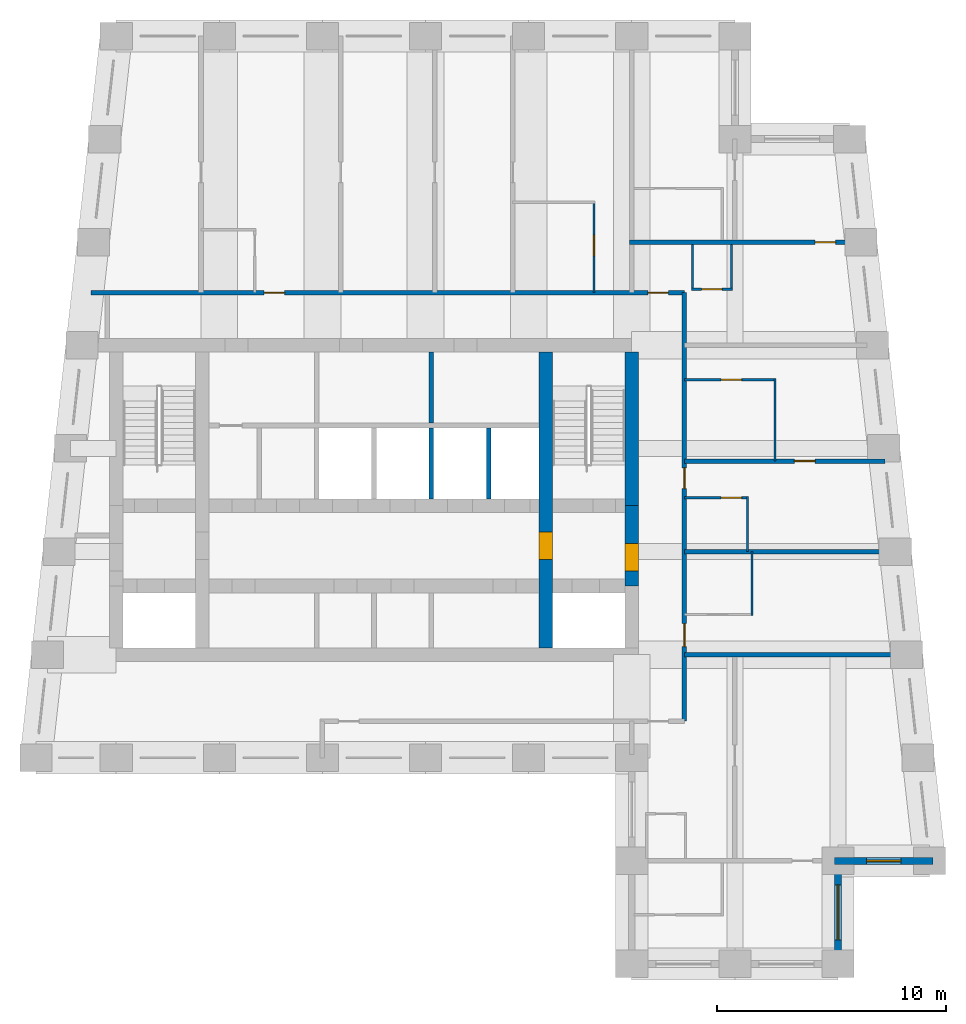
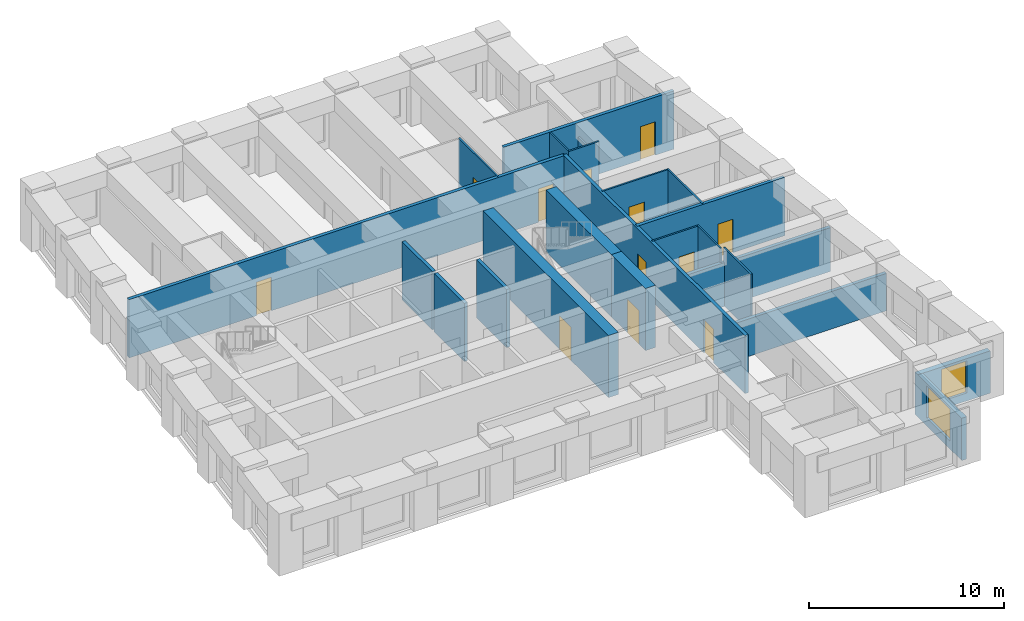
# One storey, part 4 of 7: 23 walls, 12 doors, 2 windows, 14 openings.
"""IFC4 building model written with IfcOpenShell, lengths in metres."""

from ifc_helpers import new_model, si_unit, direction, frame, frame_2d, origin, place, context, subcontext, project, spatial, rectangle, extrude, material, layer, layer_set, type_object, element, fill, save


model = new_model("IFC4")

# Units and contexts
model_context = context("Model", 3, precision=1e-05, world=origin(), true_north=direction((0.0, 1.0)))
body_context = subcontext(model_context, "Body", "Model", "MODEL_VIEW")
ifc_project = project(units=[si_unit("LENGTHUNIT", "METRE"), si_unit("AREAUNIT", "SQUARE_METRE"), si_unit("VOLUMEUNIT", "CUBIC_METRE"), si_unit("PLANEANGLEUNIT", "RADIAN"), si_unit("MASSUNIT", "GRAM", prefix="KILO")], contexts=[model_context])

# Site, building, storey
site_placement = place(None, origin())
site = spatial("IfcSite", under=ifc_project, at=site_placement, CompositionType="ELEMENT")
building_placement = place(site_placement, origin())
building = spatial("IfcBuilding", under=site, at=building_placement, Name="Kilele Tower Hotel", CompositionType="ELEMENT")
storey_placement = place(building_placement, frame((0.0, 0.0, 278.0)))
storey = spatial("IfcBuildingStorey", under=building, at=storey_placement, Name="L71", CompositionType="ELEMENT", Elevation=278.0)

# Walls
ifc_material_1 = material(Name="Moisture-resistant board")
ifc_layer_1 = layer(ifc_material_1, 0.10009765625)
ifc_layer_set_1 = layer_set([ifc_layer_1], Name="Moisture-resistant board")
wall_type_1 = type_object("IfcWallType", Name="Bathroom partition 100", PredefinedType="PLUMBINGWALL", material=ifc_layer_set_1)
wall_1_placement = place(storey_placement, frame((41.25, 15.199951171875, 0.0), z_axis=(0.0, 0.0, 1.0), x_axis=(0.0, 1.0, 0.0)))
element("IfcWall", 1, at=wall_1_placement, inside=storey, type_object=wall_type_1, Name="Bathroom partition 100 L71", PredefinedType="PLUMBINGWALL", context=body_context, shape_type="SweptSolid", body=[
    extrude(rectangle(XDim=2.800048828125, YDim=0.10009765625, at=frame_2d((1.39990234375, 0.0))), origin(), (0.0, 0.0, 1.0), 3.64990234375),
])
wall_2_placement = place(storey_placement, frame((41.050048828125, 18.0, 0.0), z_axis=(0.0, 0.0, 1.0), x_axis=(0.0, 1.0, 0.0)))
element("IfcWall", 2, at=wall_2_placement, inside=storey, type_object=wall_type_1, Name="Bathroom partition 100 L71", PredefinedType="PLUMBINGWALL", context=body_context, shape_type="SweptSolid", body=[
    extrude(rectangle(XDim=2.39990234375, YDim=0.10009765625, at=frame_2d((1.199951171875, 0.0))), origin(), (0.0, 0.0, 1.0), 3.64990234375),
])

# Wall, opening, door
wall_3_placement = place(storey_placement, frame((38.300048828125, 20.35009765625, 0.0), z_axis=(0.0, 0.0, 1.0), x_axis=(1.0, 0.0, 0.0)))
wall_3 = element("IfcWall", 3, at=wall_3_placement, inside=storey, type_object=wall_type_1, Name="Bathroom partition 100 L71", PredefinedType="PLUMBINGWALL", context=body_context, shape_type="SweptSolid", body=[
    extrude(rectangle(XDim=2.800048828125, YDim=0.10009765625, at=frame_2d((1.39990234375, 0.0))), origin(), (0.0, 0.0, 1.0), 3.64990234375),
])
opening_1_placement = place(wall_3_placement, frame((1.60009765625, 0.0, 0.0)))
opening_1 = element("IfcOpeningElement", 4, at=opening_1_placement, cuts=wall_3, Name="Opening D2A", PredefinedType="OPENING", context=body_context, shape_type="SweptSolid", body=[
    extrude(rectangle(XDim=0.89990234375, YDim=2.10009765625, at=frame_2d((0.449951171875, 1.050048828125))), frame((0.0, 0.06005859375, 0.0), z_axis=(0.0, -1.0, 0.0), x_axis=(1.0, 0.0, 0.0)), (0.0, 0.0, 1.0), 0.1201171875),
])
ifc_material_2 = material(Name="Timber door leaf in hardwood frame", Category="wood")
door_type_1 = type_object("IfcDoorType", Name="Bathroom door 900", OperationType="SINGLE_SWING_LEFT", PredefinedType="DOOR", material=ifc_material_2)
door_1_placement = place(opening_1_placement, origin())
door_1 = element("IfcDoor", 5, at=door_1_placement, inside=storey, type_object=door_type_1, Name="Bathroom door 7104B", OperationType="SINGLE_SWING_LEFT", OverallHeight=2.10009765625, OverallWidth=0.89990234375, PredefinedType="DOOR", context=body_context, shape_type="SweptSolid", body=[
    extrude(rectangle(XDim=0.89990234375, YDim=2.10009765625, at=frame_2d((0.449951171875, 1.050048828125))), frame((0.0, 0.02490234375, 0.0), z_axis=(0.0, -1.0, 0.0), x_axis=(1.0, 0.0, 0.0)), (0.0, 0.0, 1.0), 0.050048828125),
])
fill(opening_1, door_1)

# Wall
wall_4_placement = place(storey_placement, frame((42.25, 21.949951171875, 0.0), z_axis=(0.0, 0.0, 1.0), x_axis=(0.0, 1.0, 0.0)))
element("IfcWall", 6, at=wall_4_placement, inside=storey, type_object=wall_type_1, Name="Bathroom partition 100 L71", PredefinedType="PLUMBINGWALL", context=body_context, shape_type="SweptSolid", body=[
    extrude(rectangle(XDim=3.60009765625, YDim=0.10009765625, at=frame_2d((1.800048828125, 0.0))), origin(), (0.0, 0.0, 1.0), 3.64990234375),
])

# Wall, opening, door
wall_5_placement = place(storey_placement, frame((38.300048828125, 25.5, 0.0), z_axis=(0.0, 0.0, 1.0), x_axis=(1.0, 0.0, 0.0)))
wall_5 = element("IfcWall", 7, at=wall_5_placement, inside=storey, type_object=wall_type_1, Name="Bathroom partition 100 L71", PredefinedType="PLUMBINGWALL", context=body_context, shape_type="SweptSolid", body=[
    extrude(rectangle(XDim=4.0, YDim=0.10009765625, at=frame_2d((2.0, 0.0))), origin(), (0.0, 0.0, 1.0), 3.64990234375),
])
opening_2_placement = place(wall_5_placement, frame((1.60009765625, 0.0, 0.0)))
opening_2 = element("IfcOpeningElement", 8, at=opening_2_placement, cuts=wall_5, Name="Opening D2A", PredefinedType="OPENING", context=body_context, shape_type="SweptSolid", body=[
    extrude(rectangle(XDim=0.89990234375, YDim=2.10009765625, at=frame_2d((0.449951171875, 1.050048828125))), frame((0.0, 0.06005859375, 0.0), z_axis=(0.0, -1.0, 0.0), x_axis=(1.0, 0.0, 0.0)), (0.0, 0.0, 1.0), 0.1201171875),
])
door_2_placement = place(opening_2_placement, origin())
door_2 = element("IfcDoor", 9, at=door_2_placement, inside=storey, type_object=door_type_1, Name="Bathroom door 7105B", OperationType="SINGLE_SWING_LEFT", OverallHeight=2.10009765625, OverallWidth=0.89990234375, PredefinedType="DOOR", context=body_context, shape_type="SweptSolid", body=[
    extrude(rectangle(XDim=0.89990234375, YDim=2.10009765625, at=frame_2d((0.449951171875, 1.050048828125))), frame((0.0, 0.02490234375, 0.0), z_axis=(0.0, -1.0, 0.0), x_axis=(1.0, 0.0, 0.0)), (0.0, 0.0, 1.0), 0.050048828125),
])
fill(opening_2, door_2)

wall_6_placement = place(storey_placement, frame((34.35009765625, 29.300048828125, 0.0), z_axis=(0.0, 0.0, 1.0), x_axis=(0.0, 1.0, 0.0)))
wall_6 = element("IfcWall", 10, at=wall_6_placement, inside=storey, type_object=wall_type_1, Name="Bathroom partition 100 L71", PredefinedType="PLUMBINGWALL", context=body_context, shape_type="SweptSolid", body=[
    extrude(rectangle(XDim=4.0, YDim=0.10009765625, at=frame_2d((2.0, 0.0))), origin(), (0.0, 0.0, 1.0), 3.64990234375),
])
opening_3_placement = place(wall_6_placement, frame((2.5, 0.0, 0.0), z_axis=(0.0, 0.0, 1.0), x_axis=(-1.0, 0.0, 0.0)))
opening_3 = element("IfcOpeningElement", 11, at=opening_3_placement, cuts=wall_6, Name="Opening D2A", PredefinedType="OPENING", context=body_context, shape_type="SweptSolid", body=[
    extrude(rectangle(XDim=0.89990234375, YDim=2.10009765625, at=frame_2d((0.449951171875, 1.050048828125))), frame((0.0, 0.06005859375, 0.0), z_axis=(0.0, -1.0, 0.0), x_axis=(1.0, 0.0, 0.0)), (0.0, 0.0, 1.0), 0.1201171875),
])
door_3_placement = place(opening_3_placement, origin())
door_3 = element("IfcDoor", 12, at=door_3_placement, inside=storey, type_object=door_type_1, Name="Bathroom door 7110B", OperationType="SINGLE_SWING_RIGHT", OverallHeight=2.10009765625, OverallWidth=0.89990234375, PredefinedType="DOOR", context=body_context, shape_type="SweptSolid", body=[
    extrude(rectangle(XDim=0.89990234375, YDim=2.10009765625, at=frame_2d((0.449951171875, 1.050048828125))), frame((0.0, 0.02490234375, 0.0), z_axis=(0.0, -1.0, 0.0), x_axis=(1.0, 0.0, 0.0)), (0.0, 0.0, 1.0), 0.050048828125),
])
fill(opening_3, door_3)

# Walls
wall_7_placement = place(storey_placement, frame((40.35009765625, 31.39990234375, 0.0), z_axis=(0.0, 0.0, 1.0), x_axis=(0.0, -1.0, 0.0)))
element("IfcWall", 13, at=wall_7_placement, inside=storey, type_object=wall_type_1, Name="Bathroom partition 100 L71", PredefinedType="PLUMBINGWALL", context=body_context, shape_type="SweptSolid", body=[
    extrude(rectangle(XDim=2.0, YDim=0.10009765625, at=frame_2d((1.0, 0.0))), origin(), (0.0, 0.0, 1.0), 2.75),
])
wall_8_placement = place(storey_placement, frame((38.64990234375, 31.39990234375, 0.0), z_axis=(0.0, 0.0, 1.0), x_axis=(0.0, -1.0, 0.0)))
element("IfcWall", 14, at=wall_8_placement, inside=storey, type_object=wall_type_1, Name="Bathroom partition 100 L71", PredefinedType="PLUMBINGWALL", context=body_context, shape_type="SweptSolid", body=[
    extrude(rectangle(XDim=2.0, YDim=0.10009765625, at=frame_2d((1.0, 0.0))), origin(), (0.0, 0.0, 1.0), 3.64990234375),
])

# Wall, opening, door
wall_9_placement = place(storey_placement, frame((38.60009765625, 29.449951171875, 0.0), z_axis=(0.0, 0.0, 1.0), x_axis=(1.0, 0.0, 0.0)))
wall_9 = element("IfcWall", 15, at=wall_9_placement, inside=storey, type_object=wall_type_1, Name="Bathroom partition 100 L71", PredefinedType="PLUMBINGWALL", context=body_context, shape_type="SweptSolid", body=[
    extrude(rectangle(XDim=1.7998046875, YDim=0.10009765625, at=frame_2d((0.89990234375, 0.0))), origin(), (0.0, 0.0, 1.0), 3.64990234375),
])
opening_4_placement = place(wall_9_placement, frame((1.349853515625, 0.0, 0.0), z_axis=(0.0, 0.0, 1.0), x_axis=(-1.0, 0.0, 0.0)))
opening_4 = element("IfcOpeningElement", 16, at=opening_4_placement, cuts=wall_9, Name="Opening D2A", PredefinedType="OPENING", context=body_context, shape_type="SweptSolid", body=[
    extrude(rectangle(XDim=0.89990234375, YDim=2.10009765625, at=frame_2d((0.449951171875, 1.050048828125))), frame((0.0, 0.06005859375, 0.0), z_axis=(0.0, -1.0, 0.0), x_axis=(1.0, 0.0, 0.0)), (0.0, 0.0, 1.0), 0.1201171875),
])
door_4_placement = place(opening_4_placement, origin())
door_4 = element("IfcDoor", 17, at=door_4_placement, inside=storey, type_object=door_type_1, Name="Bathroom door 7114P", OperationType="SINGLE_SWING_RIGHT", OverallHeight=2.10009765625, OverallWidth=0.89990234375, PredefinedType="DOOR", context=body_context, shape_type="SweptSolid", body=[
    extrude(rectangle(XDim=0.89990234375, YDim=2.10009765625, at=frame_2d((0.449951171875, 1.050048828125))), frame((0.0, 0.02490234375, 0.0), z_axis=(0.0, -1.0, 0.0), x_axis=(1.0, 0.0, 0.0)), (0.0, 0.0, 1.0), 0.050048828125),
])
fill(opening_4, door_4)

ifc_material_3 = material(Name="Concrete C60/75", Category="concrete")
ifc_layer_2 = layer(ifc_material_3, 0.60009765625)
ifc_layer_set_2 = layer_set([ifc_layer_2], Name="Concrete C60/75")
wall_type_2 = type_object("IfcWallType", Name="Core wall 600 C60/75", PredefinedType="SHEAR", material=ifc_layer_set_2)
wall_10_placement = place(storey_placement, frame((32.25, 13.800048828125, 0.0), z_axis=(0.0, 0.0, 1.0), x_axis=(0.0, 1.0, 0.0)))
wall_10 = element("IfcWall", 18, at=wall_10_placement, inside=storey, type_object=wall_type_2, Name="Core wall IE L71", PredefinedType="SHEAR", context=body_context, shape_type="SweptSolid", body=[
    extrude(rectangle(XDim=12.89990234375, YDim=0.60009765625, at=frame_2d((6.449951171875, 0.0))), origin(), (0.0, 0.0, 1.0), 3.89990234375),
])
opening_5_placement = place(wall_10_placement, frame((5.050048828125, 0.0, 0.0), z_axis=(0.0, 0.0, 1.0), x_axis=(-1.0, 0.0, 0.0)))
opening_5 = element("IfcOpeningElement", 19, at=opening_5_placement, cuts=wall_10, Name="Opening D4", PredefinedType="OPENING", context=body_context, shape_type="SweptSolid", body=[
    extrude(rectangle(XDim=1.199951171875, YDim=2.10009765625, at=frame_2d((0.60009765625, 1.050048828125))), frame((0.0, 0.31005859375, 0.0), z_axis=(0.0, -1.0, 0.0), x_axis=(1.0, 0.0, 0.0)), (0.0, 0.0, 1.0), 0.6201171875),
])
ifc_material_4 = material(Name="Timber door leaf in hardwood frame", Category="wood")
door_type_2 = type_object("IfcDoorType", Name="Firefighting lobby door 1200", OperationType="SINGLE_SWING_LEFT", PredefinedType="DOOR", material=ifc_material_4)
door_5_placement = place(opening_5_placement, origin())
door_5 = element("IfcDoor", 20, at=door_5_placement, inside=storey, type_object=door_type_2, Name="Lobby door L71", OperationType="SINGLE_SWING_RIGHT", OverallHeight=2.10009765625, OverallWidth=1.199951171875, PredefinedType="DOOR", context=body_context, shape_type="SweptSolid", body=[
    extrude(rectangle(XDim=1.199951171875, YDim=2.10009765625, at=frame_2d((0.60009765625, 1.050048828125))), frame((0.0, 0.2998046875, 0.0), z_axis=(0.0, -1.0, 0.0), x_axis=(1.0, 0.0, 0.0)), (0.0, 0.0, 1.0), 0.599609375),
])
fill(opening_5, door_5)

wall_11_placement = place(storey_placement, frame((36.0, 16.5, 0.0), z_axis=(0.0, 0.0, 1.0), x_axis=(0.0, 1.0, 0.0)))
wall_11 = element("IfcWall", 21, at=wall_11_placement, inside=storey, type_object=wall_type_2, Name="Core wall E2 L71", PredefinedType="SHEAR", context=body_context, shape_type="SweptSolid", body=[
    extrude(rectangle(XDim=3.5, YDim=0.60009765625, at=frame_2d((1.75, 0.0))), origin(), (0.0, 0.0, 1.0), 3.89990234375),
])
opening_6_placement = place(wall_11_placement, frame((0.64990234375, 0.0, 0.0)))
opening_6 = element("IfcOpeningElement", 22, at=opening_6_placement, cuts=wall_11, Name="Opening D4", PredefinedType="OPENING", context=body_context, shape_type="SweptSolid", body=[
    extrude(rectangle(XDim=1.199951171875, YDim=2.10009765625, at=frame_2d((0.60009765625, 1.050048828125))), frame((0.0, 0.31005859375, 0.0), z_axis=(0.0, -1.0, 0.0), x_axis=(1.0, 0.0, 0.0)), (0.0, 0.0, 1.0), 0.6201171875),
])
door_6_placement = place(opening_6_placement, origin())
door_6 = element("IfcDoor", 23, at=door_6_placement, inside=storey, type_object=door_type_2, Name="Lobby door L71", OperationType="SINGLE_SWING_LEFT", OverallHeight=2.10009765625, OverallWidth=1.199951171875, PredefinedType="DOOR", context=body_context, shape_type="SweptSolid", body=[
    extrude(rectangle(XDim=1.199951171875, YDim=2.10009765625, at=frame_2d((0.60009765625, 1.050048828125))), frame((0.0, 0.2998046875, 0.0), z_axis=(0.0, -1.0, 0.0), x_axis=(1.0, 0.0, 0.0)), (0.0, 0.0, 1.0), 0.599609375),
])
fill(opening_6, door_6)

# Wall
wall_12_placement = place(storey_placement, frame((36.0, 20.0, 0.0), z_axis=(0.0, 0.0, 1.0), x_axis=(0.0, 1.0, 0.0)))
element("IfcWall", 24, at=wall_12_placement, inside=storey, type_object=wall_type_2, Name="Core wall E3 L71", PredefinedType="SHEAR", context=body_context, shape_type="SweptSolid", body=[
    extrude(rectangle(XDim=6.699951171875, YDim=0.60009765625, at=frame_2d((3.35009765625, 0.0))), origin(), (0.0, 0.0, 1.0), 3.89990234375),
])

# Wall, openings, doors
ifc_material_5 = material(Name="Blockwork, plastered both sides", Category="masonry")
ifc_layer_3 = layer(ifc_material_5, 0.199951171875)
ifc_layer_set_3 = layer_set([ifc_layer_3], Name="Blockwork, plastered both sides")
wall_type_3 = type_object("IfcWallType", Name="Corridor wall 200", PredefinedType="PARTITIONING", material=ifc_layer_set_3)
wall_13_placement = place(storey_placement, frame((12.406494140625, 29.300048828125, 0.0), z_axis=(0.0, 0.0, 1.0), x_axis=(1.0, 0.0, 0.0)))
wall_13 = element("IfcWall", 25, at=wall_13_placement, inside=storey, type_object=wall_type_3, Name="Corridor wall 200 L71", PredefinedType="PARTITIONING", context=body_context, shape_type="SweptSolid", body=[
    extrude(rectangle(XDim=25.8935546875, YDim=0.199951171875, at=frame_2d((12.94677734375, 0.0))), origin(), (0.0, 0.0, 1.0), 3.64990234375),
])
opening_7_placement = place(wall_13_placement, frame((7.54345703125, 0.0, 0.0)))
opening_7 = element("IfcOpeningElement", 26, at=opening_7_placement, cuts=wall_13, Name="Opening D1", PredefinedType="OPENING", context=body_context, shape_type="SweptSolid", body=[
    extrude(rectangle(XDim=0.89990234375, YDim=2.10009765625, at=frame_2d((0.449951171875, 1.050048828125))), frame((0.0, 0.10986328125, 0.0), z_axis=(0.0, -1.0, 0.0), x_axis=(1.0, 0.0, 0.0)), (0.0, 0.0, 1.0), 0.219970703125),
])
opening_8_placement = place(wall_13_placement, frame((24.29345703125, 0.0, 0.0)))
opening_8 = element("IfcOpeningElement", 27, at=opening_8_placement, cuts=wall_13, Name="Opening D1", PredefinedType="OPENING", context=body_context, shape_type="SweptSolid", body=[
    extrude(rectangle(XDim=0.89990234375, YDim=2.10009765625, at=frame_2d((0.449951171875, 1.050048828125))), frame((0.0, 0.10986328125, 0.0), z_axis=(0.0, -1.0, 0.0), x_axis=(1.0, 0.0, 0.0)), (0.0, 0.0, 1.0), 0.219970703125),
])
ifc_material_6 = material(Name="Timber door leaf in hardwood frame", Category="wood")
door_type_3 = type_object("IfcDoorType", Name="Guest room entrance door 900", OperationType="SINGLE_SWING_LEFT", PredefinedType="DOOR", material=ifc_material_6)
door_7_placement = place(opening_7_placement, origin())
door_7 = element("IfcDoor", 28, at=door_7_placement, inside=storey, type_object=door_type_3, Name="Room entrance 7107", OperationType="SINGLE_SWING_LEFT", OverallHeight=2.10009765625, OverallWidth=0.89990234375, PredefinedType="DOOR", context=body_context, shape_type="SweptSolid", body=[
    extrude(rectangle(XDim=0.89990234375, YDim=2.10009765625, at=frame_2d((0.449951171875, 1.050048828125))), frame((0.0, 0.02490234375, 0.0), z_axis=(0.0, -1.0, 0.0), x_axis=(1.0, 0.0, 0.0)), (0.0, 0.0, 1.0), 0.050048828125),
])
fill(opening_7, door_7)
door_8_placement = place(opening_8_placement, origin())
door_8 = element("IfcDoor", 29, at=door_8_placement, inside=storey, type_object=door_type_3, Name="Room entrance 7114", OperationType="SINGLE_SWING_LEFT", OverallHeight=2.10009765625, OverallWidth=0.89990234375, PredefinedType="DOOR", context=body_context, shape_type="SweptSolid", body=[
    extrude(rectangle(XDim=0.89990234375, YDim=2.10009765625, at=frame_2d((0.449951171875, 1.050048828125))), frame((0.0, 0.02490234375, 0.0), z_axis=(0.0, -1.0, 0.0), x_axis=(1.0, 0.0, 0.0)), (0.0, 0.0, 1.0), 0.050048828125),
])
fill(opening_8, door_8)

wall_14_placement = place(storey_placement, frame((38.300048828125, 10.60009765625, 0.0), z_axis=(0.0, 0.0, 1.0), x_axis=(0.0, 1.0, 0.0)))
wall_14 = element("IfcWall", 30, at=wall_14_placement, inside=storey, type_object=wall_type_3, Name="Corridor wall 200 L71", PredefinedType="PARTITIONING", context=body_context, shape_type="SweptSolid", body=[
    extrude(rectangle(XDim=18.699951171875, YDim=0.199951171875, at=frame_2d((9.35009765625, 0.0))), origin(), (0.0, 0.0, 1.0), 3.64990234375),
])
opening_9_placement = place(wall_14_placement, frame((4.25, 0.0, 0.0), z_axis=(0.0, 0.0, 1.0), x_axis=(-1.0, 0.0, 0.0)))
opening_9 = element("IfcOpeningElement", 31, at=opening_9_placement, cuts=wall_14, Name="Opening D1A", PredefinedType="OPENING", context=body_context, shape_type="SweptSolid", body=[
    extrude(rectangle(XDim=1.0, YDim=2.10009765625, at=frame_2d((0.5, 1.050048828125))), frame((0.0, 0.10986328125, 0.0), z_axis=(0.0, -1.0, 0.0), x_axis=(1.0, 0.0, 0.0)), (0.0, 0.0, 1.0), 0.219970703125),
])
opening_10_placement = place(wall_14_placement, frame((11.0498046875, 0.0, 0.0), z_axis=(0.0, 0.0, 1.0), x_axis=(-1.0, 0.0, 0.0)))
opening_10 = element("IfcOpeningElement", 32, at=opening_10_placement, cuts=wall_14, Name="Opening D1", PredefinedType="OPENING", context=body_context, shape_type="SweptSolid", body=[
    extrude(rectangle(XDim=0.89990234375, YDim=2.10009765625, at=frame_2d((0.449951171875, 1.050048828125))), frame((0.0, 0.10986328125, 0.0), z_axis=(0.0, -1.0, 0.0), x_axis=(1.0, 0.0, 0.0)), (0.0, 0.0, 1.0), 0.219970703125),
])
ifc_material_7 = material(Name="Timber door leaf in hardwood frame", Category="wood")
door_type_4 = type_object("IfcDoorType", Name="Guest room entrance door 1000", OperationType="SINGLE_SWING_LEFT", PredefinedType="DOOR", material=ifc_material_7)
door_9_placement = place(opening_9_placement, origin())
door_9 = element("IfcDoor", 33, at=door_9_placement, inside=storey, type_object=door_type_4, Name="Room entrance 7103", OperationType="SINGLE_SWING_RIGHT", OverallHeight=2.10009765625, OverallWidth=1.0, PredefinedType="DOOR", context=body_context, shape_type="SweptSolid", body=[
    extrude(rectangle(XDim=1.0, YDim=2.10009765625, at=frame_2d((0.5, 1.050048828125))), frame((0.0, 0.02490234375, 0.0), z_axis=(0.0, -1.0, 0.0), x_axis=(1.0, 0.0, 0.0)), (0.0, 0.0, 1.0), 0.050048828125),
])
fill(opening_9, door_9)
door_10_placement = place(opening_10_placement, origin())
door_10 = element("IfcDoor", 34, at=door_10_placement, inside=storey, type_object=door_type_3, Name="Room entrance 7104", OperationType="SINGLE_SWING_LEFT", OverallHeight=2.10009765625, OverallWidth=0.89990234375, PredefinedType="DOOR", context=body_context, shape_type="SweptSolid", body=[
    extrude(rectangle(XDim=0.89990234375, YDim=2.10009765625, at=frame_2d((0.449951171875, 1.050048828125))), frame((0.0, 0.02490234375, 0.0), z_axis=(0.0, -1.0, 0.0), x_axis=(1.0, 0.0, 0.0)), (0.0, 0.0, 1.0), 0.050048828125),
])
fill(opening_10, door_10)

# Wall
ifc_material_8 = material(Name="Blockwork, plastered both sides", Category="masonry")
ifc_layer_4 = layer(ifc_material_8, 0.199951171875)
ifc_layer_set_4 = layer_set([ifc_layer_4], Name="Blockwork, plastered both sides")
wall_type_4 = type_object("IfcWallType", Name="Party wall 200", PredefinedType="PARTITIONING", material=ifc_layer_set_4)
wall_15_placement = place(storey_placement, frame((38.300048828125, 18.0, 0.0), z_axis=(0.0, 0.0, 1.0), x_axis=(1.0, 0.0, 0.0)))
element("IfcWall", 35, at=wall_15_placement, inside=storey, type_object=wall_type_4, Name="Party wall 200 L71", PredefinedType="PARTITIONING", context=body_context, shape_type="SweptSolid", body=[
    extrude(rectangle(XDim=9.198974609375, YDim=0.199951171875, at=frame_2d((4.599609375, 0.0))), origin(), (0.0, 0.0, 1.0), 2.75),
])

# Wall, opening, door
wall_16_placement = place(storey_placement, frame((38.300048828125, 21.949951171875, 0.0), z_axis=(0.0, 0.0, 1.0), x_axis=(1.0, 0.0, 0.0)))
wall_16 = element("IfcWall", 36, at=wall_16_placement, inside=storey, type_object=wall_type_4, Name="Party wall 200 L71", PredefinedType="PARTITIONING", context=body_context, shape_type="SweptSolid", body=[
    extrude(rectangle(XDim=8.76025390625, YDim=0.199951171875, at=frame_2d((4.380126953125, 0.0))), origin(), (0.0, 0.0, 1.0), 3.64990234375),
])
opening_11_placement = place(wall_16_placement, frame((4.800048828125, 0.0, 0.0)))
opening_11 = element("IfcOpeningElement", 37, at=opening_11_placement, cuts=wall_16, Name="Opening D3", PredefinedType="OPENING", context=body_context, shape_type="SweptSolid", body=[
    extrude(rectangle(XDim=0.89990234375, YDim=2.10009765625, at=frame_2d((0.449951171875, 1.050048828125))), frame((0.0, 0.10986328125, 0.0), z_axis=(0.0, -1.0, 0.0), x_axis=(1.0, 0.0, 0.0)), (0.0, 0.0, 1.0), 0.219970703125),
])
ifc_material_9 = material(Name="Timber door leaf in hardwood frame", Category="wood")
door_type_5 = type_object("IfcDoorType", Name="Suite internal door 900", OperationType="SINGLE_SWING_LEFT", PredefinedType="DOOR", material=ifc_material_9)
door_11_placement = place(opening_11_placement, origin())
door_11 = element("IfcDoor", 38, at=door_11_placement, inside=storey, type_object=door_type_5, Name="Suite door 7105", OperationType="SINGLE_SWING_LEFT", OverallHeight=2.10009765625, OverallWidth=0.89990234375, PredefinedType="DOOR", context=body_context, shape_type="SweptSolid", body=[
    extrude(rectangle(XDim=0.89990234375, YDim=2.10009765625, at=frame_2d((0.449951171875, 1.050048828125))), frame((0.0, 0.02490234375, 0.0), z_axis=(0.0, -1.0, 0.0), x_axis=(1.0, 0.0, 0.0)), (0.0, 0.0, 1.0), 0.050048828125),
])
fill(opening_11, door_11)

# Wall
wall_17_placement = place(storey_placement, frame((38.300048828125, 13.5, 0.0), z_axis=(0.0, 0.0, 1.0), x_axis=(1.0, 0.0, 0.0)))
element("IfcWall", 39, at=wall_17_placement, inside=storey, type_object=wall_type_4, Name="Party wall 200 L71", PredefinedType="PARTITIONING", context=body_context, shape_type="SweptSolid", body=[
    extrude(rectangle(XDim=9.921142578125, YDim=0.199951171875, at=frame_2d((4.96044921875, 0.0))), origin(), (0.0, 0.0, 1.0), 2.35009765625),
])

# Wall, opening, door
wall_18_placement = place(storey_placement, frame((35.89990234375, 31.5, 0.0), z_axis=(0.0, 0.0, 1.0), x_axis=(1.0, 0.0, 0.0)))
wall_18 = element("IfcWall", 40, at=wall_18_placement, inside=storey, type_object=wall_type_4, Name="Party wall 200 L71", PredefinedType="PARTITIONING", context=body_context, shape_type="SweptSolid", body=[
    extrude(rectangle(XDim=10.09912109375, YDim=0.199951171875, at=frame_2d((5.049560546875, 0.0))), origin(), (0.0, 0.0, 1.0), 3.64990234375),
])
opening_12_placement = place(wall_18_placement, frame((8.09912109375, 0.0, 0.0)))
opening_12 = element("IfcOpeningElement", 41, at=opening_12_placement, cuts=wall_18, Name="Opening D3", PredefinedType="OPENING", context=body_context, shape_type="SweptSolid", body=[
    extrude(rectangle(XDim=0.89990234375, YDim=2.10009765625, at=frame_2d((0.449951171875, 1.050048828125))), frame((0.0, 0.10986328125, 0.0), z_axis=(0.0, -1.0, 0.0), x_axis=(1.0, 0.0, 0.0)), (0.0, 0.0, 1.0), 0.219970703125),
])
door_12_placement = place(opening_12_placement, origin())
door_12 = element("IfcDoor", 42, at=door_12_placement, inside=storey, type_object=door_type_5, Name="Suite door 7115", OperationType="SINGLE_SWING_RIGHT", OverallHeight=2.10009765625, OverallWidth=0.89990234375, PredefinedType="DOOR", context=body_context, shape_type="SweptSolid", body=[
    extrude(rectangle(XDim=0.89990234375, YDim=2.10009765625, at=frame_2d((0.449951171875, 1.050048828125))), frame((0.0, 0.02490234375, 0.0), z_axis=(0.0, -1.0, 0.0), x_axis=(1.0, 0.0, 0.0)), (0.0, 0.0, 1.0), 0.050048828125),
])
fill(opening_12, door_12)

# Wall, opening, window
ifc_material_10 = material(Name="Concrete C40/50 precast", Category="concrete")
ifc_layer_5 = layer(ifc_material_10, 0.260009765625, Name="Precast backing", Category="LoadBearing")
ifc_material_11 = material(Name="Reconstituted stone finish", Category="masonry")
ifc_layer_6 = layer(ifc_material_11, 0.0400390625, Name="Face mix", Category="Finish")
ifc_layer_set_5 = layer_set([ifc_layer_5, ifc_layer_6], Name="Precast concrete C40/50, reconstituted stone finish")
wall_type_5 = type_object("IfcWallType", Name="Precast stone facade wall 300", PredefinedType="STANDARD", material=ifc_layer_set_5)
wall_19_placement = place(storey_placement, frame((45.0, -0.14990234375, 0.0), z_axis=(0.0, 0.0, 1.0), x_axis=(0.0, 1.0, 0.0)))
wall_19 = element("IfcWall", 43, at=wall_19_placement, inside=storey, type_object=wall_type_5, Name="Facade wall L71 edge 4", PredefinedType="STANDARD", context=body_context, shape_type="SweptSolid", body=[
    extrude(rectangle(XDim=4.7998046875, YDim=0.300048828125, at=frame_2d((2.39990234375, 0.0))), origin(), (0.0, 0.0, 1.0), 2.64990234375),
])
opening_13_placement = place(wall_19_placement, frame((1.199951171875, 0.0, 0.5)))
opening_13 = element("IfcOpeningElement", 44, at=opening_13_placement, cuts=wall_19, Name="Opening W4", PredefinedType="OPENING", context=body_context, shape_type="SweptSolid", body=[
    extrude(rectangle(XDim=2.39990234375, YDim=2.0, at=frame_2d((1.199951171875, 1.0))), frame((0.0, 0.159912109375, 0.0), z_axis=(0.0, -1.0, 0.0), x_axis=(1.0, 0.0, 0.0)), (0.0, 0.0, 1.0), 0.320068359375),
])
ifc_material_12 = material(Name="Aluminium frame, clear double glazing", Category="aluminium")
window_type_1 = type_object("IfcWindowType", Name="Window W4 2400 x 2000", PartitioningType="SINGLE_PANEL", PredefinedType="WINDOW", material=ifc_material_12)
window_1_placement = place(opening_13_placement, origin())
window_1 = element("IfcWindow", 45, at=window_1_placement, inside=storey, type_object=window_type_1, Name="Window L71", OverallHeight=2.0, OverallWidth=2.39990234375, PartitioningType="SINGLE_PANEL", PredefinedType="WINDOW", context=body_context, shape_type="SweptSolid", body=[
    extrude(rectangle(XDim=2.39990234375, YDim=2.0, at=frame_2d((1.199951171875, 1.0))), frame((0.0, 0.030029296875, 0.0), z_axis=(0.0, -1.0, 0.0), x_axis=(1.0, 0.0, 0.0)), (0.0, 0.0, 1.0), 0.06005859375),
])
fill(opening_13, window_1)

wall_20_placement = place(storey_placement, frame((44.85009765625, 4.5, 0.0), z_axis=(0.0, 0.0, 1.0), x_axis=(1.0, 0.0, 0.0)))
wall_20 = element("IfcWall", 46, at=wall_20_placement, inside=storey, type_object=wall_type_5, Name="Facade wall L71 edge 5", PredefinedType="STANDARD", context=body_context, shape_type="SweptSolid", body=[
    extrude(rectangle(XDim=4.2998046875, YDim=0.300048828125, at=frame_2d((2.14990234375, 0.0))), origin(), (0.0, 0.0, 1.0), 2.64990234375),
])
opening_14_placement = place(wall_20_placement, frame((1.39990234375, 0.0, 0.5)))
opening_14 = element("IfcOpeningElement", 47, at=opening_14_placement, cuts=wall_20, Name="Opening W4", PredefinedType="OPENING", context=body_context, shape_type="SweptSolid", body=[
    extrude(rectangle(XDim=1.5, YDim=2.0, at=frame_2d((0.75, 1.0))), frame((0.0, 0.159912109375, 0.0), z_axis=(0.0, -1.0, 0.0), x_axis=(1.0, 0.0, 0.0)), (0.0, 0.0, 1.0), 0.320068359375),
])
ifc_material_13 = material(Name="Aluminium frame, clear double glazing", Category="aluminium")
window_type_2 = type_object("IfcWindowType", Name="Window W4 1500 x 2000", PartitioningType="SINGLE_PANEL", PredefinedType="WINDOW", material=ifc_material_13)
window_2_placement = place(opening_14_placement, origin())
window_2 = element("IfcWindow", 48, at=window_2_placement, inside=storey, type_object=window_type_2, Name="Window L71", OverallHeight=2.0, OverallWidth=1.5, PartitioningType="SINGLE_PANEL", PredefinedType="WINDOW", context=body_context, shape_type="SweptSolid", body=[
    extrude(rectangle(XDim=1.5, YDim=2.0, at=frame_2d((0.75, 1.0))), frame((0.0, 0.030029296875, 0.0), z_axis=(0.0, -1.0, 0.0), x_axis=(1.0, 0.0, 0.0)), (0.0, 0.0, 1.0), 0.06005859375),
])
fill(opening_14, window_2)

# Walls
ifc_material_14 = material(Name="Blockwork, fire-rated", Category="masonry")
ifc_layer_7 = layer(ifc_material_14, 0.199951171875)
ifc_layer_set_6 = layer_set([ifc_layer_7], Name="Blockwork, fire-rated")
wall_type_6 = type_object("IfcWallType", Name="Shaft wall 200", PredefinedType="PARTITIONING", material=ifc_layer_set_6)
for number, where, z_axis, x_axis, name in (
    (49, (27.25, 20.300048828125, 0.0), (0.0, 0.0, 1.0), (0.0, 1.0, 0.0), "Shaft wall 200 L71"),
    (50, (29.75, 20.300048828125, 0.0), (0.0, 0.0, 1.0), (0.0, 1.0, 0.0), "Shaft wall 200 L71"),
    (51, (27.25, 23.60009765625, 0.0), (0.0, 0.0, 1.0), (0.0, 1.0, 0.0), "Shaft wall 200 L71"),
):
    element("IfcWall", number, at=place(storey_placement, frame(where, z_axis=z_axis, x_axis=x_axis)), inside=storey, type_object=wall_type_6, Name=name, PredefinedType="PARTITIONING", context=body_context, shape_type="SweptSolid", body=[
        extrude(rectangle(XDim=3.099853515625, YDim=0.199951171875, at=frame_2d((1.5498046875, 0.0))), origin(), (0.0, 0.0, 1.0), 3.64990234375),
    ])

save(model, "model.ifc")
